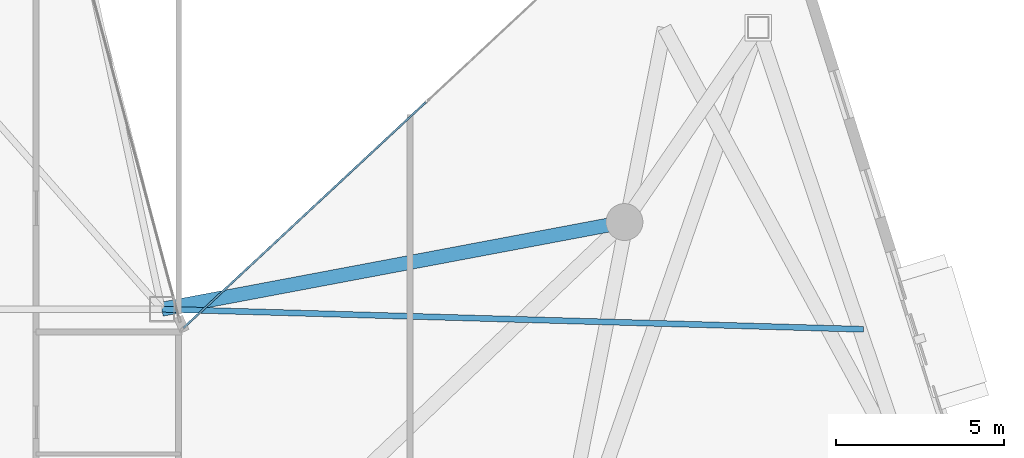
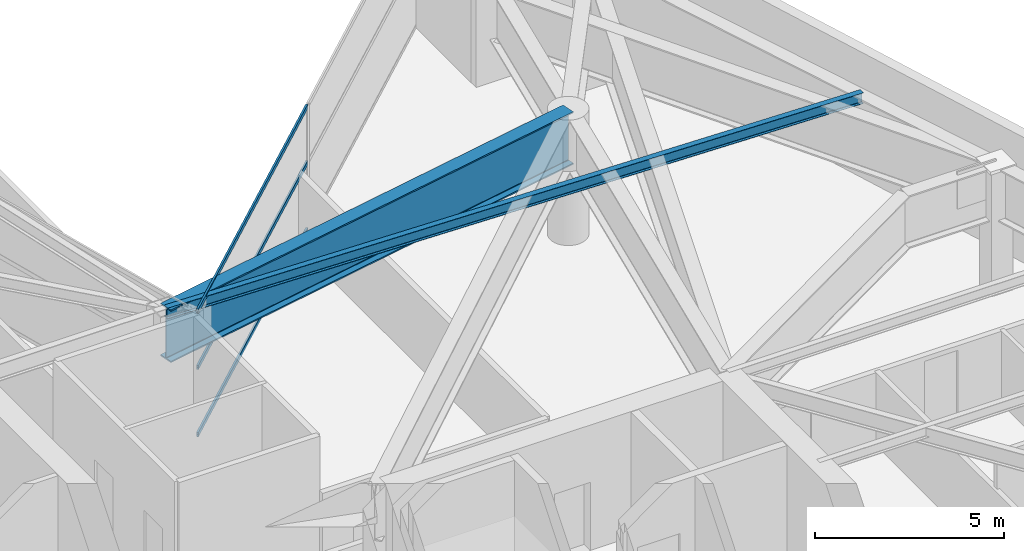
# One storey, part 11 of 27: 3 members, 2 beams, 1 element without a shape of its own.
"""IFC4 building model written with IfcOpenShell, lengths in metres."""

from ifc_helpers import new_model, si_unit, direction, frame, origin, origin_2d, place, context, subcontext, project, spatial, hollow_rectangle, i_section, extrude, material, layer, layer_set, material_profile, profile_set, type_object, element, aggregate, save


model = new_model("IFC4")

# Units and contexts
model_context = context("Model", 3, precision=1e-05, world=origin(), true_north=direction((0.0, 1.0)))
body_context = subcontext(model_context, "Body", "Model", "MODEL_VIEW")
ifc_project = project(units=[si_unit("LENGTHUNIT", "METRE"), si_unit("AREAUNIT", "SQUARE_METRE"), si_unit("VOLUMEUNIT", "CUBIC_METRE"), si_unit("PLANEANGLEUNIT", "RADIAN"), si_unit("MASSUNIT", "GRAM", prefix="KILO")], contexts=[model_context])

# Site, building, storey
site_placement = place(None, origin())
site = spatial("IfcSite", under=ifc_project, at=site_placement, CompositionType="ELEMENT")
building_placement = place(site_placement, origin())
building = spatial("IfcBuilding", under=site, at=building_placement, Name="Calvorn Quay Hotel", CompositionType="ELEMENT")
storey_placement = place(building_placement, frame((0.0, 0.0, 239.300048828125)))
storey = spatial("IfcBuildingStorey", under=building, at=storey_placement, Name="L59", CompositionType="ELEMENT", Elevation=239.300048828125)

# Beams
ifc_material_1 = material(Name="Steel Q355B", Category="steel")
ifc_material_profile_1 = material_profile(ifc_material_1, i_section(OverallWidth=0.175048828125, OverallDepth=0.35009765625, WebThickness=0.007080078125, FlangeThickness=0.010986328125, FilletRadius=0.013916015625, at=origin_2d()), Name="HN350x175x7x11")
ifc_profile_set_1 = profile_set([ifc_material_profile_1], Name="Steel Q355B")
beam_type_1 = type_object("IfcBeamType", Name="BM-JOIST-SEC", PredefinedType="JOIST", material=ifc_profile_set_1)
beam_1_placement = place(storey_placement, frame((21.0, 25.0, 3.875), z_axis=(0.999589103827, -0.028663975842, 0.0), x_axis=(0.028663975842, 0.999589103827, 0.0)))
element("IfcBeam", 1, at=beam_1_placement, inside=storey, type_object=beam_type_1, Name="Beam BJ-L59-E3", PredefinedType="JOIST", context=body_context, shape_type="SweptSolid", body=[
    extrude(i_section(OverallWidth=0.175048828125, OverallDepth=0.35009765625, WebThickness=0.007080078125, FlangeThickness=0.010986328125, FilletRadius=0.013916015625, at=origin_2d()), origin(), (0.0, 0.0, 1.0), 20.935546875),
])
ifc_material_2 = material(Name="Steel Q420GJC", Category="steel")
ifc_material_profile_2 = material_profile(ifc_material_2, i_section(OverallWidth=0.419921875, OverallDepth=1.699951171875, WebThickness=0.02392578125, FlangeThickness=0.0419921875, FilletRadius=0.02392578125, at=origin_2d()), Name="HN1700x420x24x42")
ifc_profile_set_2 = profile_set([ifc_material_profile_2], Name="Steel Q420GJC")
beam_type_2 = type_object("IfcBeamType", Name="BM-XFER-SAWTOOTH", PredefinedType="BEAM", material=ifc_profile_set_2)
beam_2_placement = place(storey_placement, frame((34.800048828125, 27.60009765625, 3.199951171875), z_axis=(-0.982709432406, -0.185154452988, 0.0), x_axis=(0.185154452988, -0.982709432406, 0.0)))
element("IfcBeam", 2, at=beam_2_placement, inside=storey, type_object=beam_type_2, Name="Beam BSP-L59-E4", PredefinedType="BEAM", context=body_context, shape_type="SweptSolid", body=[
    extrude(i_section(OverallWidth=0.419921875, OverallDepth=1.699951171875, WebThickness=0.02392578125, FlangeThickness=0.0419921875, FilletRadius=0.02392578125, at=origin_2d()), origin(), (0.0, 0.0, 1.0), 14.04296875),
])

# Curtain wall, members
ifc_material_3 = material(Name="Champagne Bronze Anodised Aluminium and Low-E Glass", Category="aluminium")
ifc_layer = layer(ifc_material_3, 0.219970703125)
ifc_layer_set = layer_set([ifc_layer], Name="CW-SYS-Z3")
curtain_wall_type = type_object("IfcCurtainWallType", Name="CW-SYS-Z3", PredefinedType="NOTDEFINED", material=ifc_layer_set)
curtain_wall_placement = place(storey_placement, origin())
curtain_wall = element("IfcCurtainWall", 3, at=curtain_wall_placement, inside=storey, type_object=curtain_wall_type, Name="Inner Court Curtain Wall L59-NE1", PredefinedType="NOTDEFINED")
ifc_material_4 = material(Name="Champagne Bronze Anodised Aluminium 6063-T6", Category="aluminium")
ifc_material_profile_3 = material_profile(ifc_material_4, hollow_rectangle(XDim=0.05810546875, YDim=0.139892578125, WallThickness=0.003173828125, at=origin_2d()), Name="ALU-T140x58x3.2")
ifc_profile_set_3 = profile_set([ifc_material_profile_3], Name="Champagne Bronze Anodised Aluminium 6063-T6")
member_type = type_object("IfcMemberType", Name="CW-SYS-Z3-TRN", PredefinedType="USERDEFINED", material=ifc_profile_set_3)
member_1_placement = place(storey_placement, frame((28.8779296875, 31.179443359375, 0.030029296875), z_axis=(-0.731727475975, -0.681597315798, 0.0), x_axis=(0.681597315798, -0.731727475975, 0.0)))
member_1 = element("IfcMember", 4, at=member_1_placement, type_object=member_type, Name="CW-L59-NE1 transom 2.1", ObjectType="TRANSOM", PredefinedType="USERDEFINED", context=body_context, shape_type="SweptSolid", body=[
    extrude(hollow_rectangle(XDim=0.05810546875, YDim=0.139892578125, WallThickness=0.003173828125, at=origin_2d()), origin(), (0.0, 0.0, 1.0), 9.886474609375),
])
member_2_placement = place(storey_placement, frame((28.8779296875, 31.179443359375, 2.199951171875), z_axis=(-0.731727475975, -0.681597315798, 0.0), x_axis=(0.681597315798, -0.731727475975, 0.0)))
member_2 = element("IfcMember", 5, at=member_2_placement, type_object=member_type, Name="CW-L59-NE1 transom 2.2", ObjectType="TRANSOM", PredefinedType="USERDEFINED", context=body_context, shape_type="SweptSolid", body=[
    extrude(hollow_rectangle(XDim=0.05810546875, YDim=0.139892578125, WallThickness=0.003173828125, at=origin_2d()), origin(), (0.0, 0.0, 1.0), 9.886474609375),
])
member_3_placement = place(storey_placement, frame((28.8779296875, 31.179443359375, 4.02001953125), z_axis=(-0.731727475975, -0.681597315798, 0.0), x_axis=(0.681597315798, -0.731727475975, 0.0)))
member_3 = element("IfcMember", 6, at=member_3_placement, type_object=member_type, Name="CW-L59-NE1 transom 2.3", ObjectType="TRANSOM", PredefinedType="USERDEFINED", context=body_context, shape_type="SweptSolid", body=[
    extrude(hollow_rectangle(XDim=0.05810546875, YDim=0.139892578125, WallThickness=0.003173828125, at=origin_2d()), origin(), (0.0, 0.0, 1.0), 9.886474609375),
])
aggregate(curtain_wall, [member_1, member_2, member_3])

save(model, "model.ifc")
